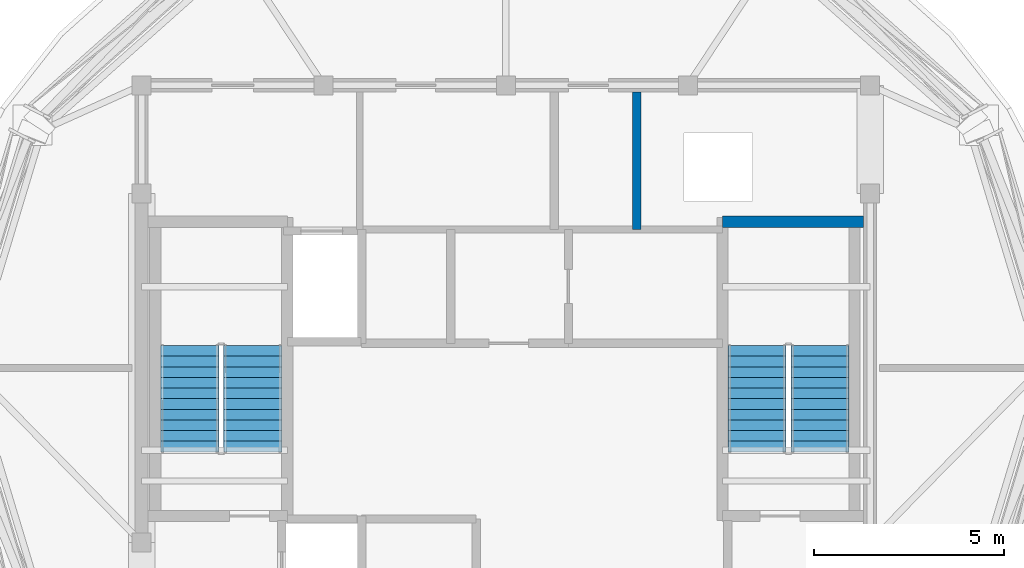
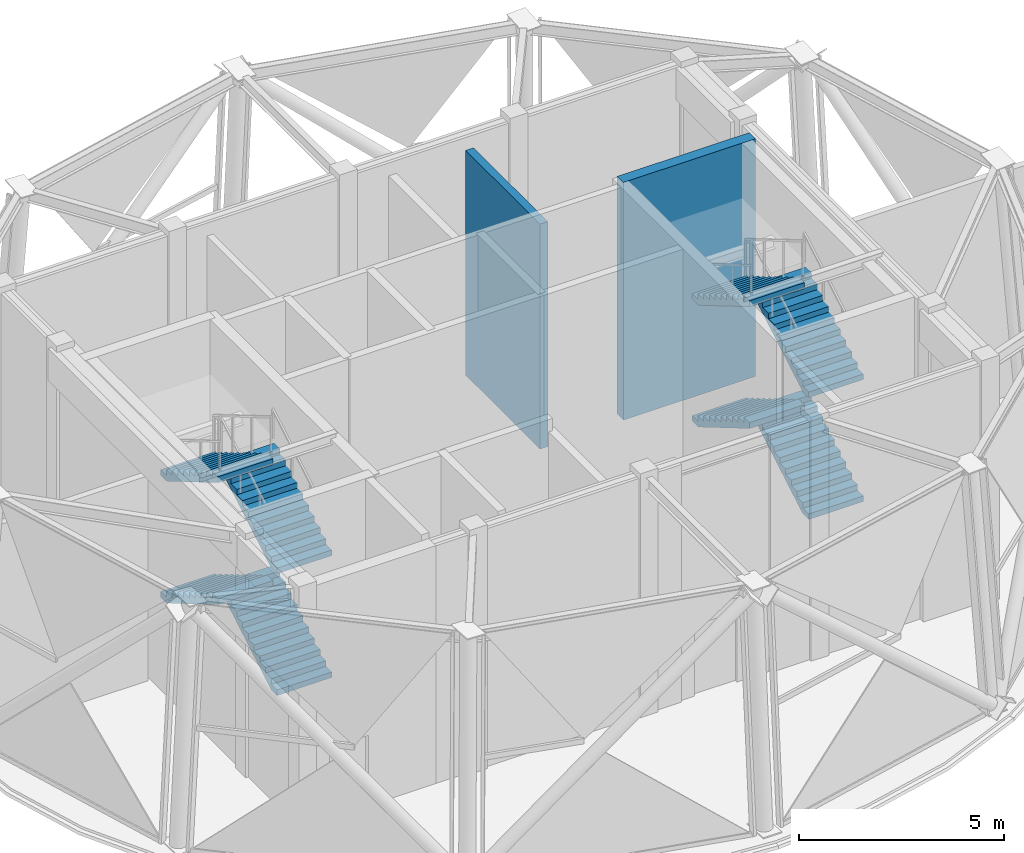
# One storey, part 6 of 8: 8 stair flights, 2 walls, 2 elements without a shape of their own.
"""IFC4 building model written with IfcOpenShell, lengths in metres."""

from ifc_helpers import new_model, si_unit, direction, frame, frame_2d, origin, place, context, subcontext, project, spatial, polyline, rectangle, outline, extrude, material, layer, layer_set, type_object, element, aggregate, save


model = new_model("IFC4")

# Units and contexts
model_context = context("Model", 3, precision=1e-05, world=origin(), true_north=direction((0.0, 1.0)))
body_context = subcontext(model_context, "Body", "Model", "MODEL_VIEW")
ifc_project = project(units=[si_unit("LENGTHUNIT", "METRE"), si_unit("AREAUNIT", "SQUARE_METRE"), si_unit("VOLUMEUNIT", "CUBIC_METRE"), si_unit("PLANEANGLEUNIT", "RADIAN"), si_unit("MASSUNIT", "GRAM", prefix="KILO")], contexts=[model_context])

# Site, building, storey
site_placement = place(None, origin())
site = spatial("IfcSite", under=ifc_project, at=site_placement, CompositionType="ELEMENT")
building_placement = place(site_placement, origin())
building = spatial("IfcBuilding", under=site, at=building_placement, Name="Vantalir Tower", CompositionType="ELEMENT")
storey_placement = place(building_placement, frame((0.0, 0.0, 333.5)))
storey = spatial("IfcBuildingStorey", under=building, at=storey_placement, Name="L80", CompositionType="ELEMENT", Elevation=333.5)

# Walls
ifc_material_1 = material(Name="Concrete blockwork with fireboard lining", Category="masonry")
ifc_layer_1 = layer(ifc_material_1, 0.219970703125)
ifc_layer_set_1 = layer_set([ifc_layer_1], Name="Concrete blockwork with fireboard lining")
wall_type_1 = type_object("IfcWallType", Name="WL-FFL-220", PredefinedType="PARTITIONING", material=ifc_layer_set_1)
wall_1_placement = place(storey_placement, frame((34.949951171875, 28.64990234375, 0.0), z_axis=(0.0, 0.0, 1.0), x_axis=(0.0, 1.0, 0.0)))
element("IfcWall", 1, at=wall_1_placement, inside=storey, type_object=wall_type_1, Name="L80 Core Plant Link East Wall", PredefinedType="PARTITIONING", context=body_context, shape_type="SweptSolid", body=[
    extrude(rectangle(XDim=3.625, YDim=0.219970703125, at=frame_2d((1.8125, 0.0))), origin(), (0.0, 0.0, 1.0), 6.68701171875),
])
ifc_material_2 = material(Name="Concrete C50/60", Category="concrete")
ifc_layer_2 = layer(ifc_material_2, 0.300048828125)
ifc_layer_set_2 = layer_set([ifc_layer_2], Name="Concrete C50/60")
wall_type_2 = type_object("IfcWallType", Name="WL-STAIR-300", PredefinedType="SHEAR", material=ifc_layer_set_2)
wall_2_placement = place(storey_placement, frame((37.2099609375, 28.85009765625, 0.0), z_axis=(0.0, 0.0, 1.0), x_axis=(1.0, 0.0, 0.0)))
element("IfcWall", 2, at=wall_2_placement, inside=storey, type_object=wall_type_2, Name="L80 Stair ST2 North Wall", PredefinedType="SHEAR", context=body_context, shape_type="SweptSolid", body=[
    extrude(rectangle(XDim=3.715087890625, YDim=0.300048828125, at=frame_2d((1.857421875, 0.0))), origin(), (0.0, 0.0, 1.0), 7.070068359375),
])

# Stair, stair flights
ifc_material_3 = material(Name="Concrete C40/50", Category="concrete")
stair_type = type_object("IfcStairType", Name="STR-CORE-1450", PredefinedType="HALF_TURN_STAIR", material=ifc_material_3)
stair_1_placement = place(storey_placement, origin())
stair_1 = element("IfcStair", 3, at=stair_1_placement, inside=storey, type_object=stair_type, Name="L80 Core Exit Stair 1", PredefinedType="HALF_TURN_STAIR")
stair_flight_type = type_object("IfcStairFlightType", Name="FLT-CORE-1450", PredefinedType="STRAIGHT", material=ifc_material_3)
stair_flight_1_placement = place(storey_placement, frame((24.830078125, 22.7900390625, 0.0), z_axis=(0.0, 0.0, 1.0), x_axis=(0.0, 1.0, 0.0)))
stair_flight_1 = element("IfcStairFlight", 4, at=stair_flight_1_placement, type_object=stair_flight_type, Name="ST1 flight 1", NumberOfRisers=11, NumberOfTreads=10, PredefinedType="STRAIGHT", RiserHeight=0.164772727, TreadLength=0.28, context=body_context, shape_type="SweptSolid", body=[
    extrude(outline(polyline([(0.0, 0.0), (0.0, 0.164794921875), (0.280029296875, 0.164794921875), (0.280029296875, 0.32958984375), (0.56005859375, 0.32958984375), (0.56005859375, 0.494384765625), (0.840087890625, 0.494384765625), (0.840087890625, 0.6591796875), (1.1201171875, 0.6591796875), (1.1201171875, 0.823974609375), (1.39990234375, 0.823974609375), (1.39990234375, 0.988525390625), (1.679931640625, 0.988525390625), (1.679931640625, 1.1533203125), (1.9599609375, 1.1533203125), (1.9599609375, 1.318115234375), (2.239990234375, 1.318115234375), (2.239990234375, 1.48291015625), (2.52001953125, 1.48291015625), (2.52001953125, 1.647705078125), (2.800048828125, 1.647705078125), (2.800048828125, 1.8125), (2.800048828125, 1.473876953125), (0.295654296875, 0.0), (0.0, 0.0)])), frame((0.0, 0.77001953125, 0.0), z_axis=(0.0, -1.0, 0.0), x_axis=(1.0, 0.0, 0.0)), (0.0, 0.0, 1.0), 1.5400390625),
])
stair_flight_2_placement = place(storey_placement, frame((23.169921875, 25.590087890625, 1.8125), z_axis=(0.0, 0.0, 1.0), x_axis=(0.0, -1.0, 0.0)))
stair_flight_2 = element("IfcStairFlight", 5, at=stair_flight_2_placement, type_object=stair_flight_type, Name="ST1 flight 2", NumberOfRisers=11, NumberOfTreads=10, PredefinedType="STRAIGHT", RiserHeight=0.164772727, TreadLength=0.28, context=body_context, shape_type="SweptSolid", body=[
    extrude(outline(polyline([(0.0, 0.0), (0.0, 0.164794921875), (0.280029296875, 0.164794921875), (0.280029296875, 0.32958984375), (0.56005859375, 0.32958984375), (0.56005859375, 0.494384765625), (0.840087890625, 0.494384765625), (0.840087890625, 0.6591796875), (1.1201171875, 0.6591796875), (1.1201171875, 0.823974609375), (1.39990234375, 0.823974609375), (1.39990234375, 0.988525390625), (1.679931640625, 0.988525390625), (1.679931640625, 1.1533203125), (1.9599609375, 1.1533203125), (1.9599609375, 1.318115234375), (2.239990234375, 1.318115234375), (2.239990234375, 1.48291015625), (2.52001953125, 1.48291015625), (2.52001953125, 1.647705078125), (2.800048828125, 1.647705078125), (2.800048828125, 1.8125), (2.800048828125, 1.473876953125), (0.295654296875, 0.0), (0.0, 0.0)])), frame((0.0, 0.77001953125, 0.0), z_axis=(0.0, -1.0, 0.0), x_axis=(1.0, 0.0, 0.0)), (0.0, 0.0, 1.0), 1.5400390625),
])
stair_flight_3_placement = place(storey_placement, frame((24.830078125, 22.7900390625, 3.625), z_axis=(0.0, 0.0, 1.0), x_axis=(0.0, 1.0, 0.0)))
stair_flight_3 = element("IfcStairFlight", 6, at=stair_flight_3_placement, type_object=stair_flight_type, Name="ST1 flight 3", NumberOfRisers=11, NumberOfTreads=10, PredefinedType="STRAIGHT", RiserHeight=0.164772727, TreadLength=0.28, context=body_context, shape_type="SweptSolid", body=[
    extrude(outline(polyline([(0.0, 0.0), (0.0, 0.164794921875), (0.280029296875, 0.164794921875), (0.280029296875, 0.32958984375), (0.56005859375, 0.32958984375), (0.56005859375, 0.494384765625), (0.840087890625, 0.494384765625), (0.840087890625, 0.6591796875), (1.1201171875, 0.6591796875), (1.1201171875, 0.823974609375), (1.39990234375, 0.823974609375), (1.39990234375, 0.988525390625), (1.679931640625, 0.988525390625), (1.679931640625, 1.1533203125), (1.9599609375, 1.1533203125), (1.9599609375, 1.318115234375), (2.239990234375, 1.318115234375), (2.239990234375, 1.48291015625), (2.52001953125, 1.48291015625), (2.52001953125, 1.647705078125), (2.800048828125, 1.647705078125), (2.800048828125, 1.8125), (2.800048828125, 1.473876953125), (0.295654296875, 0.0), (0.0, 0.0)])), frame((0.0, 0.77001953125, 0.0), z_axis=(0.0, -1.0, 0.0), x_axis=(1.0, 0.0, 0.0)), (0.0, 0.0, 1.0), 1.5400390625),
])
stair_flight_4_placement = place(storey_placement, frame((23.169921875, 25.590087890625, 5.4375), z_axis=(0.0, 0.0, 1.0), x_axis=(0.0, -1.0, 0.0)))
stair_flight_4 = element("IfcStairFlight", 7, at=stair_flight_4_placement, type_object=stair_flight_type, Name="ST1 flight 4", NumberOfRisers=11, NumberOfTreads=10, PredefinedType="STRAIGHT", RiserHeight=0.164772727, TreadLength=0.28, context=body_context, shape_type="SweptSolid", body=[
    extrude(outline(polyline([(0.0, 0.0), (0.0, 0.164794921875), (0.280029296875, 0.164794921875), (0.280029296875, 0.32958984375), (0.56005859375, 0.32958984375), (0.56005859375, 0.494384765625), (0.840087890625, 0.494384765625), (0.840087890625, 0.6591796875), (1.1201171875, 0.6591796875), (1.1201171875, 0.823974609375), (1.39990234375, 0.823974609375), (1.39990234375, 0.988525390625), (1.679931640625, 0.988525390625), (1.679931640625, 1.1533203125), (1.9599609375, 1.1533203125), (1.9599609375, 1.318115234375), (2.239990234375, 1.318115234375), (2.239990234375, 1.48291015625), (2.52001953125, 1.48291015625), (2.52001953125, 1.647705078125), (2.800048828125, 1.647705078125), (2.800048828125, 1.8125), (2.800048828125, 1.473876953125), (0.295654296875, 0.0), (0.0, 0.0)])), frame((0.0, 0.77001953125, 0.0), z_axis=(0.0, -1.0, 0.0), x_axis=(1.0, 0.0, 0.0)), (0.0, 0.0, 1.0), 1.5400390625),
])
aggregate(stair_1, [stair_flight_1, stair_flight_2, stair_flight_3, stair_flight_4])

stair_2_placement = place(storey_placement, origin())
stair_2 = element("IfcStair", 8, at=stair_2_placement, inside=storey, type_object=stair_type, Name="L80 Core Exit Stair 2", PredefinedType="HALF_TURN_STAIR")
stair_flight_5_placement = place(storey_placement, frame((39.780029296875, 22.7900390625, 0.0), z_axis=(0.0, 0.0, 1.0), x_axis=(0.0, 1.0, 0.0)))
stair_flight_5 = element("IfcStairFlight", 9, at=stair_flight_5_placement, type_object=stair_flight_type, Name="ST2 flight 1", NumberOfRisers=11, NumberOfTreads=10, PredefinedType="STRAIGHT", RiserHeight=0.164772727, TreadLength=0.28, context=body_context, shape_type="SweptSolid", body=[
    extrude(outline(polyline([(0.0, 0.0), (0.0, 0.164794921875), (0.280029296875, 0.164794921875), (0.280029296875, 0.32958984375), (0.56005859375, 0.32958984375), (0.56005859375, 0.494384765625), (0.840087890625, 0.494384765625), (0.840087890625, 0.6591796875), (1.1201171875, 0.6591796875), (1.1201171875, 0.823974609375), (1.39990234375, 0.823974609375), (1.39990234375, 0.988525390625), (1.679931640625, 0.988525390625), (1.679931640625, 1.1533203125), (1.9599609375, 1.1533203125), (1.9599609375, 1.318115234375), (2.239990234375, 1.318115234375), (2.239990234375, 1.48291015625), (2.52001953125, 1.48291015625), (2.52001953125, 1.647705078125), (2.800048828125, 1.647705078125), (2.800048828125, 1.8125), (2.800048828125, 1.473876953125), (0.295654296875, 0.0), (0.0, 0.0)])), frame((0.0, 0.77001953125, 0.0), z_axis=(0.0, -1.0, 0.0), x_axis=(1.0, 0.0, 0.0)), (0.0, 0.0, 1.0), 1.5400390625),
])
stair_flight_6_placement = place(storey_placement, frame((38.1201171875, 25.590087890625, 1.8125), z_axis=(0.0, 0.0, 1.0), x_axis=(0.0, -1.0, 0.0)))
stair_flight_6 = element("IfcStairFlight", 10, at=stair_flight_6_placement, type_object=stair_flight_type, Name="ST2 flight 2", NumberOfRisers=11, NumberOfTreads=10, PredefinedType="STRAIGHT", RiserHeight=0.164772727, TreadLength=0.28, context=body_context, shape_type="SweptSolid", body=[
    extrude(outline(polyline([(0.0, 0.0), (0.0, 0.164794921875), (0.280029296875, 0.164794921875), (0.280029296875, 0.32958984375), (0.56005859375, 0.32958984375), (0.56005859375, 0.494384765625), (0.840087890625, 0.494384765625), (0.840087890625, 0.6591796875), (1.1201171875, 0.6591796875), (1.1201171875, 0.823974609375), (1.39990234375, 0.823974609375), (1.39990234375, 0.988525390625), (1.679931640625, 0.988525390625), (1.679931640625, 1.1533203125), (1.9599609375, 1.1533203125), (1.9599609375, 1.318115234375), (2.239990234375, 1.318115234375), (2.239990234375, 1.48291015625), (2.52001953125, 1.48291015625), (2.52001953125, 1.647705078125), (2.800048828125, 1.647705078125), (2.800048828125, 1.8125), (2.800048828125, 1.473876953125), (0.295654296875, 0.0), (0.0, 0.0)])), frame((0.0, 0.77001953125, 0.0), z_axis=(0.0, -1.0, 0.0), x_axis=(1.0, 0.0, 0.0)), (0.0, 0.0, 1.0), 1.5400390625),
])
stair_flight_7_placement = place(storey_placement, frame((39.780029296875, 22.7900390625, 3.625), z_axis=(0.0, 0.0, 1.0), x_axis=(0.0, 1.0, 0.0)))
stair_flight_7 = element("IfcStairFlight", 11, at=stair_flight_7_placement, type_object=stair_flight_type, Name="ST2 flight 3", NumberOfRisers=11, NumberOfTreads=10, PredefinedType="STRAIGHT", RiserHeight=0.164772727, TreadLength=0.28, context=body_context, shape_type="SweptSolid", body=[
    extrude(outline(polyline([(0.0, 0.0), (0.0, 0.164794921875), (0.280029296875, 0.164794921875), (0.280029296875, 0.32958984375), (0.56005859375, 0.32958984375), (0.56005859375, 0.494384765625), (0.840087890625, 0.494384765625), (0.840087890625, 0.6591796875), (1.1201171875, 0.6591796875), (1.1201171875, 0.823974609375), (1.39990234375, 0.823974609375), (1.39990234375, 0.988525390625), (1.679931640625, 0.988525390625), (1.679931640625, 1.1533203125), (1.9599609375, 1.1533203125), (1.9599609375, 1.318115234375), (2.239990234375, 1.318115234375), (2.239990234375, 1.48291015625), (2.52001953125, 1.48291015625), (2.52001953125, 1.647705078125), (2.800048828125, 1.647705078125), (2.800048828125, 1.8125), (2.800048828125, 1.473876953125), (0.295654296875, 0.0), (0.0, 0.0)])), frame((0.0, 0.77001953125, 0.0), z_axis=(0.0, -1.0, 0.0), x_axis=(1.0, 0.0, 0.0)), (0.0, 0.0, 1.0), 1.5400390625),
])
stair_flight_8_placement = place(storey_placement, frame((38.1201171875, 25.590087890625, 5.4375), z_axis=(0.0, 0.0, 1.0), x_axis=(0.0, -1.0, 0.0)))
stair_flight_8 = element("IfcStairFlight", 12, at=stair_flight_8_placement, type_object=stair_flight_type, Name="ST2 flight 4", NumberOfRisers=11, NumberOfTreads=10, PredefinedType="STRAIGHT", RiserHeight=0.164772727, TreadLength=0.28, context=body_context, shape_type="SweptSolid", body=[
    extrude(outline(polyline([(0.0, 0.0), (0.0, 0.164794921875), (0.280029296875, 0.164794921875), (0.280029296875, 0.32958984375), (0.56005859375, 0.32958984375), (0.56005859375, 0.494384765625), (0.840087890625, 0.494384765625), (0.840087890625, 0.6591796875), (1.1201171875, 0.6591796875), (1.1201171875, 0.823974609375), (1.39990234375, 0.823974609375), (1.39990234375, 0.988525390625), (1.679931640625, 0.988525390625), (1.679931640625, 1.1533203125), (1.9599609375, 1.1533203125), (1.9599609375, 1.318115234375), (2.239990234375, 1.318115234375), (2.239990234375, 1.48291015625), (2.52001953125, 1.48291015625), (2.52001953125, 1.647705078125), (2.800048828125, 1.647705078125), (2.800048828125, 1.8125), (2.800048828125, 1.473876953125), (0.295654296875, 0.0), (0.0, 0.0)])), frame((0.0, 0.77001953125, 0.0), z_axis=(0.0, -1.0, 0.0), x_axis=(1.0, 0.0, 0.0)), (0.0, 0.0, 1.0), 1.5400390625),
])
aggregate(stair_2, [stair_flight_5, stair_flight_6, stair_flight_7, stair_flight_8])

save(model, "model.ifc")
